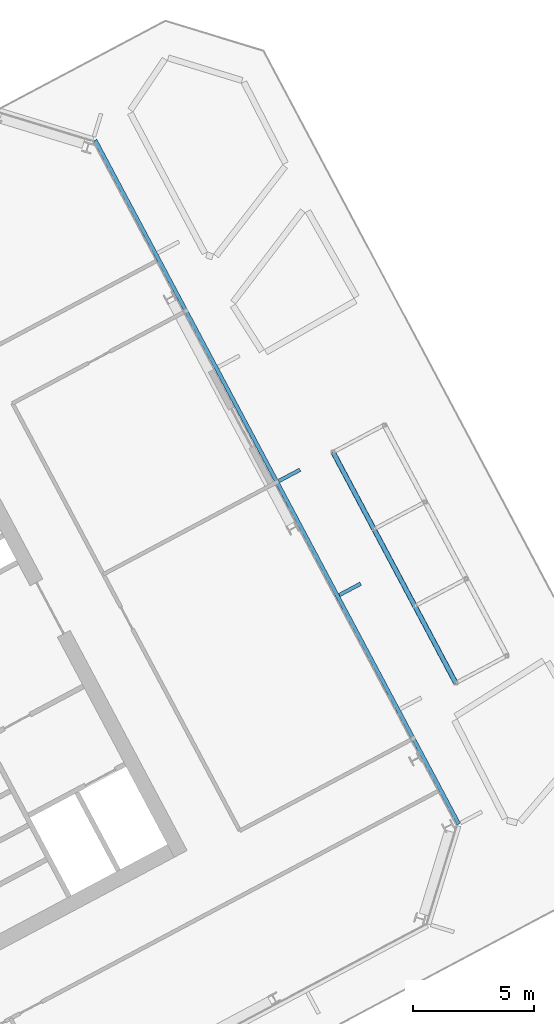
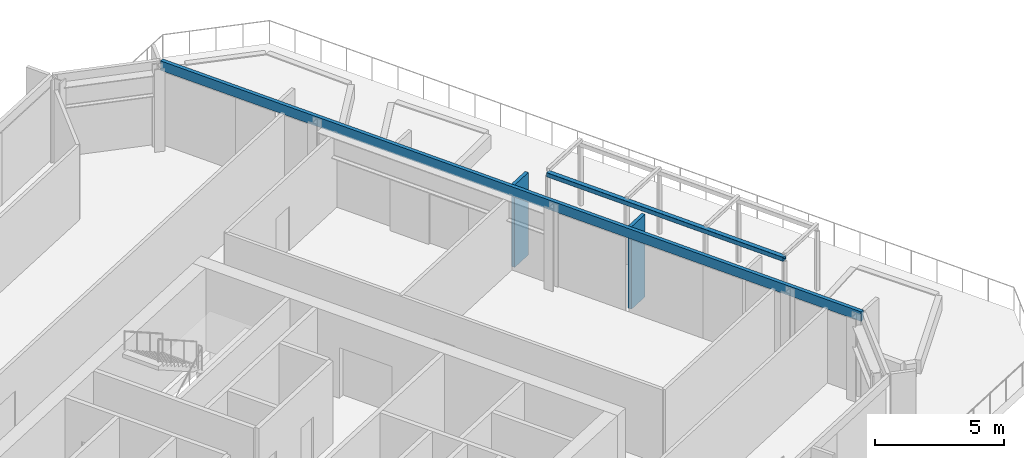
# One storey, part 11 of 31: 4 members, 1 element without a shape of its own.
"""IFC4 building model written with IfcOpenShell, lengths in metres."""

import ifcopenshell
import ifcopenshell.guid

model = None  # the IFC model being written
_history = None  # IfcOwnerHistory: only IFC2X3 demands one
_inside = {}  # id of a spatial element -> (the spatial element, [elements in it])
_under = {}  # id of a project, library or spatial element -> (it, [spatial elements below it])
_declared = {}  # id of a project -> (the project, [libraries it declares])
_typed = {}  # id of a type object -> (the type object, [elements of that type])
_made_of = {}  # id of a material, layer set ... -> (it, [elements and type objects made of it])


def new_model(schema):
    """Start an empty IFC model of exactly this schema.

    Asked for "IFC4X3", IfcOpenShell would pick the latest addendum, in which some entities
    have other attributes; the version numbers below select the first issue.
    IFC2X3 requires an IfcOwnerHistory on every rooted entity: one is made here for all.
    """
    global model, _history
    if schema == "IFC4X3":
        model = ifcopenshell.file(schema_version=(4, 3, 0, 0))
    else:
        model = ifcopenshell.file(schema=schema)
    _inside.clear()
    _under.clear()
    _declared.clear()
    _typed.clear()
    _made_of.clear()
    _history = None
    if model.schema == "IFC2X3":
        org = make("IfcOrganization", Name="unknown")
        user = make(
            "IfcPersonAndOrganization",
            ThePerson=make("IfcPerson", FamilyName="unknown"),
            TheOrganization=org,
        )
        app = make(
            "IfcApplication",
            ApplicationDeveloper=org,
            Version="unknown",
            ApplicationFullName="unknown",
            ApplicationIdentifier="unknown",
        )
        _history = make(
            "IfcOwnerHistory",
            OwningUser=user,
            OwningApplication=app,
            ChangeAction="ADDED",
            CreationDate=0,
        )
    return model


def make(cls, **values):
    """One entity of the class cls with the attributes given. An attribute that is None is left unset."""
    return model.create_entity(
        cls, **{name: value for name, value in values.items() if value is not None}
    )


def rooted(cls, **values):
    """An entity with a GlobalId (a new one), such as an element, a storey or a relation."""
    return make(cls, GlobalId=ifcopenshell.guid.new(), OwnerHistory=_history, **values)


def si_unit(unit_type, name, prefix=None):
    """IfcSIUnit, for example si_unit("LENGTHUNIT", "METRE", prefix="MILLI")."""
    return make("IfcSIUnit", UnitType=unit_type, Prefix=prefix, Name=name)


def assignment(units):
    """IfcUnitAssignment: the units of a project."""
    return None if units is None else make("IfcUnitAssignment", Units=units)


def point(xyz):
    """IfcCartesianPoint."""
    return None if xyz is None else make("IfcCartesianPoint", Coordinates=xyz)


def direction(xyz):
    """IfcDirection."""
    return None if xyz is None else make("IfcDirection", DirectionRatios=xyz)


def frame(location, z_axis=None, x_axis=None):
    """IfcAxis2Placement3D, a coordinate frame: its origin and axes. An axis left out is left unset."""
    return make(
        "IfcAxis2Placement3D",
        Location=point(location),
        Axis=direction(z_axis),
        RefDirection=direction(x_axis),
    )


def frame_2d(location, x_axis=None):
    """IfcAxis2Placement2D, a coordinate frame in the plane: its origin and x axis."""
    return make(
        "IfcAxis2Placement2D", Location=point(location), RefDirection=direction(x_axis)
    )


def origin():
    """The frame at (0, 0, 0) with its axes left unset."""
    return frame((0.0, 0.0, 0.0))


def origin_2d():
    """The frame at (0, 0) in the plane with its x axis left unset."""
    return frame_2d((0.0, 0.0))


def place(relative_to, where):
    """IfcLocalPlacement: puts the frame where relative to a parent placement (None: the world)."""
    return make(
        "IfcLocalPlacement", PlacementRelTo=relative_to, RelativePlacement=where
    )


def context(
    kind, dimensions, precision=None, world=None, true_north=None, identifier=None
):
    """IfcGeometricRepresentationContext, for example the 3D "Model" context."""
    return make(
        "IfcGeometricRepresentationContext",
        ContextIdentifier=identifier,
        ContextType=kind,
        CoordinateSpaceDimension=dimensions,
        Precision=precision,
        WorldCoordinateSystem=world,
        TrueNorth=true_north,
    )


def subcontext(parent, identifier, kind, view, scale=None):
    """IfcGeometricRepresentationSubContext, for example "Body" below "Model"."""
    return make(
        "IfcGeometricRepresentationSubContext",
        ContextIdentifier=identifier,
        ContextType=kind,
        ParentContext=parent,
        TargetScale=scale,
        TargetView=view,
    )


def project(units=None, contexts=None):
    """IfcProject with its units and contexts."""
    return rooted(
        "IfcProject",
        Name="project",
        RepresentationContexts=contexts,
        UnitsInContext=assignment(units),
    )


def spatial(cls, under=None, at=None, **own):
    """A site, building, storey or space (cls), placed at a placement, below another one or the project."""
    s = rooted(cls, ObjectPlacement=at, **own)
    if under is not None:
        _under.setdefault(under.id(), (under, []))[1].append(s)
    return s


def profile(cls, at=None, kind="AREA", **sizes):
    """A parametric profile (cls). Its sizes go by their IFC names, for example OverallWidth=200.0."""
    return make(cls, ProfileType=kind, Position=at, **sizes)


def rectangle(**sizes):
    """IfcRectangleProfileDef."""
    return profile("IfcRectangleProfileDef", **sizes)


def hollow_rectangle(**sizes):
    """IfcRectangleHollowProfileDef."""
    return profile("IfcRectangleHollowProfileDef", **sizes)


def extrude(swept, where, along, depth):
    """IfcExtrudedAreaSolid: the profile swept, set in the frame where, extruded along a direction by depth."""
    return make(
        "IfcExtrudedAreaSolid",
        SweptArea=swept,
        Position=where,
        ExtrudedDirection=direction(along),
        Depth=depth,
    )


def shape(context_of_items, identifier, shape_type, items):
    """IfcShapeRepresentation: the items that make up one representation, for example the "Body"."""
    return make(
        "IfcShapeRepresentation",
        ContextOfItems=context_of_items,
        RepresentationIdentifier=identifier,
        RepresentationType=shape_type,
        Items=items,
    )


def material(Name=None, Category=None):
    """IfcMaterial."""
    return make("IfcMaterial", Name=Name, Category=Category)


def layer(
    of_material, thickness, ventilated=None, Name=None, Category=None, Priority=None
):
    """IfcMaterialLayer: one layer of a wall or slab, of a material (None: an air gap)."""
    return make(
        "IfcMaterialLayer",
        Material=of_material,
        LayerThickness=thickness,
        IsVentilated=ventilated,
        Name=Name,
        Category=Category,
        Priority=Priority,
    )


def layer_set(layers, Name=None):
    """IfcMaterialLayerSet."""
    return make("IfcMaterialLayerSet", MaterialLayers=layers, LayerSetName=Name)


def material_profile(
    of_material, cross_section, Name=None, Category=None, Priority=None
):
    """IfcMaterialProfile: a cross section and its material."""
    return make(
        "IfcMaterialProfile",
        Name=Name,
        Material=of_material,
        Profile=cross_section,
        Priority=Priority,
        Category=Category,
    )


def profile_set(profiles, Name=None, composite=None):
    """IfcMaterialProfileSet."""
    return make(
        "IfcMaterialProfileSet",
        Name=Name,
        MaterialProfiles=profiles,
        CompositeProfile=composite,
    )


def made_of(thing, what):
    """Note that an element or type object is made of a material, layer set ...; save() writes the relation."""
    if what is not None:
        _made_of.setdefault(what.id(), (what, []))[1].append(thing)
    return thing


def type_object(cls, material=None, **own):
    """A type object (cls), such as IfcWallType, which elements share."""
    return made_of(rooted(cls, **own), material)


def element(
    cls,
    number,
    at=None,
    inside=None,
    cuts=None,
    type_object=None,
    material=None,
    context=None,
    identifier="Body",
    shape_type=None,
    held_by="IfcProductDefinitionShape",
    body=None,
    shapes=None,
    **own,
):
    """One element of the class cls, such as IfcWall. Its Tag is "e" and its number.

    at: its placement. inside: the storey or other place that contains it. cuts: it is an
    opening in that element (IfcRelVoidsElement). A single representation is given by context,
    identifier, shape_type and body (its items); several are given by shapes. held_by: the class
    of the entity that holds the representations. save() writes the other relations.
    """
    e = rooted(cls, Tag="e%d" % number, ObjectPlacement=at, **own)
    if body is not None:
        shapes = [shape(context, identifier, shape_type, body)]
    if shapes is not None:
        e.Representation = make(held_by, Representations=shapes)
    if inside is not None:
        _inside.setdefault(inside.id(), (inside, []))[1].append(e)
    if cuts is not None:
        rooted(
            "IfcRelVoidsElement", RelatingBuildingElement=cuts, RelatedOpeningElement=e
        )
    if type_object is not None:
        _typed.setdefault(type_object.id(), (type_object, []))[1].append(e)
    return made_of(e, material)


def aggregate(whole, parts):
    """IfcRelAggregates: a whole, such as a stair, and the parts it consists of."""
    return rooted("IfcRelAggregates", RelatingObject=whole, RelatedObjects=parts)


def save(model, path):
    """Write the relations noted so far, then the file.

    IfcRelAggregates (storeys below a building ...), IfcRelContainedInSpatialStructure (elements
    in a storey), IfcRelDefinesByType, IfcRelAssociatesMaterial and IfcRelDeclares: one each for
    every whole, place, type object, material and project.
    """
    for whole, parts in _under.values():
        aggregate(whole, parts)
    for where, things in _inside.values():
        rooted(
            "IfcRelContainedInSpatialStructure",
            RelatedElements=things,
            RelatingStructure=where,
        )
    for kind, things in _typed.values():
        rooted("IfcRelDefinesByType", RelatedObjects=things, RelatingType=kind)
    for what, things in _made_of.values():
        rooted("IfcRelAssociatesMaterial", RelatedObjects=things, RelatingMaterial=what)
    for by, libraries in _declared.values():
        rooted("IfcRelDeclares", RelatingContext=by, RelatedDefinitions=libraries)
    model.write(path)


model = new_model("IFC4")

# Units and contexts
model_context = context("Model", 3, precision=1e-05, world=origin(), true_north=direction((0.0, 1.0)))
body_context = subcontext(model_context, "Body", "Model", "MODEL_VIEW")
ifc_project = project(units=[si_unit("LENGTHUNIT", "METRE"), si_unit("AREAUNIT", "SQUARE_METRE"), si_unit("VOLUMEUNIT", "CUBIC_METRE"), si_unit("PLANEANGLEUNIT", "RADIAN"), si_unit("MASSUNIT", "GRAM", prefix="KILO")], contexts=[model_context])

# Site, building, storey
site_placement = place(None, origin())
site = spatial("IfcSite", under=ifc_project, at=site_placement, CompositionType="ELEMENT")
building_placement = place(site_placement, origin())
building = spatial("IfcBuilding", under=site, at=building_placement, Name="Cormorant Relay Tower", CompositionType="ELEMENT")
storey_placement = place(building_placement, frame((0.0, 0.0, 189.60009765625)))
storey = spatial("IfcBuildingStorey", under=building, at=storey_placement, Name="L40", CompositionType="ELEMENT", Elevation=189.60009765625)

# Curtain wall, members
ifc_material_1 = material(Name="Aluminium 6063-T6 anodised bronze", Category="aluminium")
ifc_layer = layer(ifc_material_1, 0.199951171875)
ifc_layer_set = layer_set([ifc_layer], Name="CW1 unitised bronze curtain wall with vertical fins")
curtain_wall_type = type_object("IfcCurtainWallType", Name="CW1 unitised bronze curtain wall with vertical fins", PredefinedType="NOTDEFINED", material=ifc_layer_set)
curtain_wall_placement = place(storey_placement, origin())
curtain_wall = element("IfcCurtainWall", 1, at=curtain_wall_placement, inside=storey, type_object=curtain_wall_type, Name="CW1 curtain wall 6", PredefinedType="NOTDEFINED")
ifc_material_2 = material(Name="Aluminium 6063-T6 anodised bronze", Category="aluminium")
ifc_material_profile_1 = material_profile(ifc_material_2, rectangle(XDim=0.14990234375, YDim=1.0, at=origin_2d()), Name="AL 150x1000")
ifc_profile_set_1 = profile_set([ifc_material_profile_1], Name="Aluminium 6063-T6 anodised bronze")
member_type_1 = type_object("IfcMemberType", Name="CW1 bronze fin mullion 150 x 1000", PredefinedType="MULLION", material=ifc_profile_set_1)
member_1_placement = place(storey_placement, frame((44.564453125, 19.920166015625, 0.0), z_axis=(0.0, 0.0, 1.0), x_axis=(-0.469471562786, 0.882947592859, 0.0)))
member_1 = element("IfcMember", 2, at=member_1_placement, type_object=member_type_1, Name="CW1 fin 6.3", PredefinedType="MULLION", context=body_context, shape_type="SweptSolid", body=[
    extrude(rectangle(XDim=0.14990234375, YDim=1.0, at=origin_2d()), origin(), (0.0, 0.0, 1.0), 3.89990234375),
])
member_2_placement = place(storey_placement, frame((42.060546875, 24.629150390625, 0.0), z_axis=(0.0, 0.0, 1.0), x_axis=(-0.469471562786, 0.882947592859, 0.0)))
member_2 = element("IfcMember", 3, at=member_2_placement, type_object=member_type_1, Name="CW1 fin 6.4", PredefinedType="MULLION", context=body_context, shape_type="SweptSolid", body=[
    extrude(rectangle(XDim=0.14990234375, YDim=1.0, at=origin_2d()), origin(), (0.0, 0.0, 1.0), 3.89990234375),
])
ifc_material_3 = material(Name="Aluminium 6063-T6 anodised bronze", Category="aluminium")
ifc_material_profile_2 = material_profile(ifc_material_3, rectangle(XDim=0.159912109375, YDim=0.449951171875, at=origin_2d()), Name="AL 160x450")
ifc_profile_set_2 = profile_set([ifc_material_profile_2], Name="Aluminium 6063-T6 anodised bronze")
member_type_2 = type_object("IfcMemberType", Name="CW1 bronze transom 160 x 450", PredefinedType="USERDEFINED", material=ifc_profile_set_2)
member_3_placement = place(storey_placement, frame((49.06005859375, 10.229736328125, 3.6748046875), z_axis=(-0.46947036835, 0.882948227951, 0.0), x_axis=(-0.882948227951, -0.46947036835, 0.0)))
member_3 = element("IfcMember", 4, at=member_3_placement, type_object=member_type_2, Name="CW1 transom 6", ObjectType="TRANSOM", PredefinedType="USERDEFINED", context=body_context, shape_type="SweptSolid", body=[
    extrude(rectangle(XDim=0.159912109375, YDim=0.449951171875, at=origin_2d()), origin(), (0.0, 0.0, 1.0), 31.999755859375),
])
aggregate(curtain_wall, [member_1, member_2, member_3])

# Member
ifc_material_4 = material(Name="Steel ASTM A500 Grade C (Fy 345 MPa)", Category="steel")
ifc_material_profile_3 = material_profile(ifc_material_4, hollow_rectangle(XDim=0.203125, YDim=0.203125, WallThickness=0.0087890625, InnerFilletRadius=0.00439453125, OuterFilletRadius=0.01318359375, at=origin_2d()), Name="HSS203x203x9")
ifc_profile_set_3 = profile_set([ifc_material_profile_3], Name="Steel ASTM A500 Grade C (Fy 345 MPa)")
member_type_3 = type_object("IfcMemberType", Name="Pergola beam HSS203x203x9", PredefinedType="RAFTER", material=ifc_profile_set_3)
member_4_placement = place(storey_placement, frame((48.9375, 16.053955078125, 2.901611328125), z_axis=(-0.469480251476, 0.882942972946, 0.0), x_axis=(-0.882942972946, -0.469480251476, 0.0)))
element("IfcMember", 5, at=member_4_placement, inside=storey, type_object=member_type_3, Name="Pergola beam", PredefinedType="RAFTER", context=body_context, shape_type="SweptSolid", body=[
    extrude(hollow_rectangle(XDim=0.203125, YDim=0.203125, WallThickness=0.0087890625, InnerFilletRadius=0.00439453125, OuterFilletRadius=0.01318359375, at=origin_2d()), origin(), (0.0, 0.0, 1.0), 10.7998046875),
])

save(model, "model.ifc")
